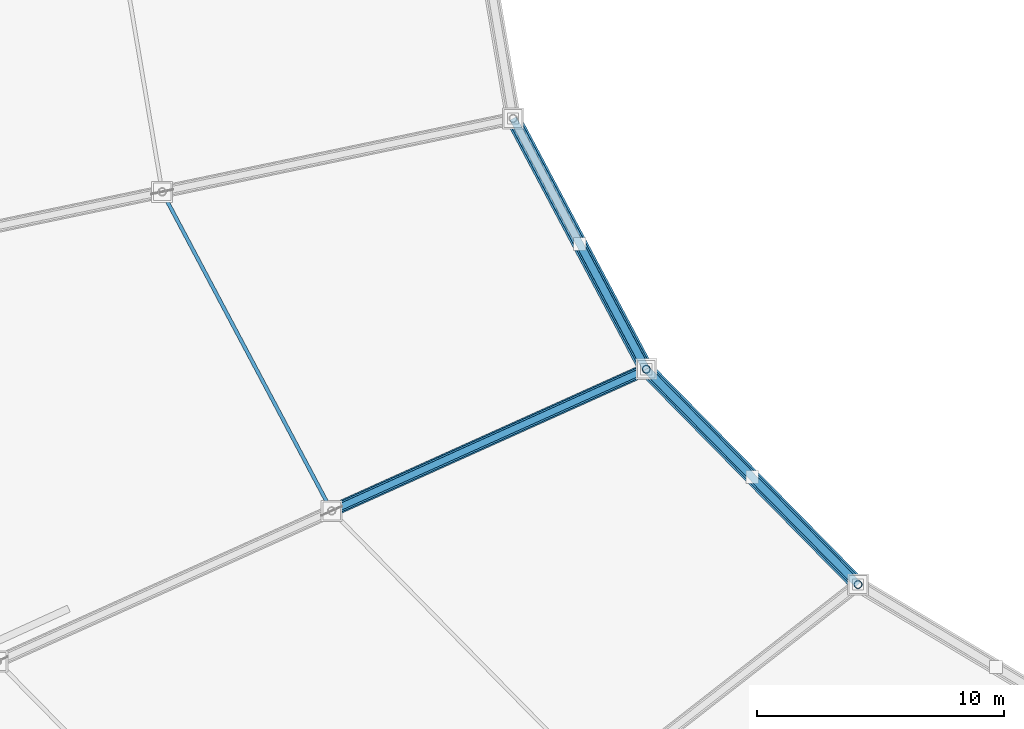
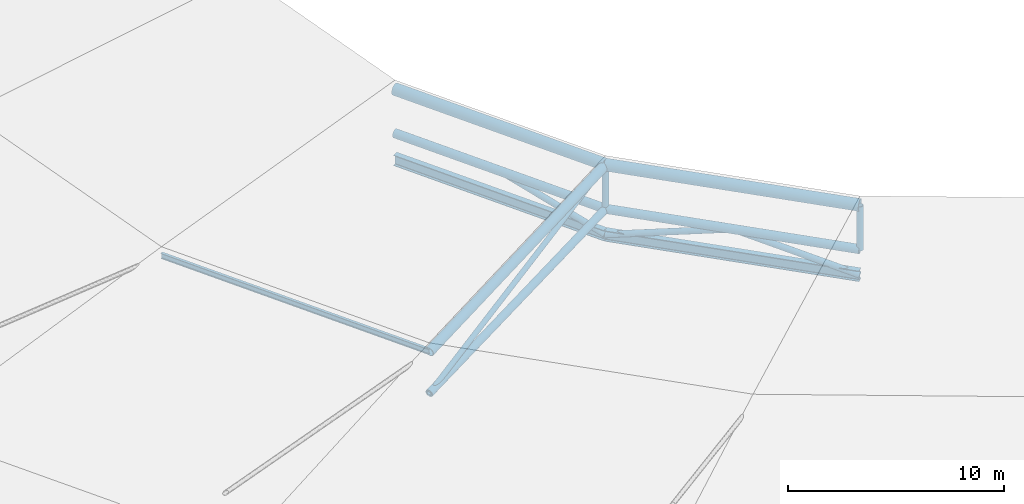
# One storey, part 11 of 115: 13 members, 2 beams.
"""IFC4 building model written with IfcOpenShell, lengths in metres."""

from ifc_helpers import new_model, si_unit, direction, frame, origin, origin_2d, place, context, subcontext, project, spatial, hollow_circle, i_section, extrude, material, material_profile, profile_set, type_object, element, save


model = new_model("IFC4")

# Units and contexts
model_context = context("Model", 3, precision=1e-05, world=origin(), true_north=direction((0.0, 1.0)))
body_context = subcontext(model_context, "Body", "Model", "MODEL_VIEW")
ifc_project = project(units=[si_unit("LENGTHUNIT", "METRE"), si_unit("AREAUNIT", "SQUARE_METRE"), si_unit("VOLUMEUNIT", "CUBIC_METRE"), si_unit("PLANEANGLEUNIT", "RADIAN"), si_unit("MASSUNIT", "GRAM", prefix="KILO")], contexts=[model_context])

# Site, building, storey
site_placement = place(None, origin())
site = spatial("IfcSite", under=ifc_project, at=site_placement, CompositionType="ELEMENT")
building_placement = place(site_placement, origin())
building = spatial("IfcBuilding", under=site, at=building_placement, Name="Zlatoyarsky Gate Stadium", CompositionType="ELEMENT")
storey_placement = place(building_placement, frame((0.0, 0.0, 31.800048828125)))
storey = spatial("IfcBuildingStorey", under=building, at=storey_placement, Name="RF", CompositionType="ELEMENT", Elevation=31.800048828125)

# Members
ifc_material = material(Name="Steel S355", Category="steel")
ifc_material_profile_1 = material_profile(ifc_material, hollow_circle(Radius=0.228515625, WallThickness=0.02490234375, at=origin_2d()), Name="CHS 457X25")
ifc_profile_set_1 = profile_set([ifc_material_profile_1], Name="Steel S355")
member_type_1 = type_object("IfcMemberType", Name="STEEL ARCH BOTTOM CHORD CHS 457X25", PredefinedType="CHORD", material=ifc_profile_set_1)
member_1_placement = place(storey_placement, frame((58.82568359375, 69.0947265625, 6.449951171875), z_axis=(0.468977321353, -0.883210208306, 0.0), x_axis=(0.883210208306, 0.468977321353, 0.0)))
element("IfcMember", 1, at=member_1_placement, inside=storey, type_object=member_type_1, Name="Inner tension ring bottom chord 13", PredefinedType="CHORD", context=body_context, shape_type="SweptSolid", body=[
    extrude(hollow_circle(Radius=0.228515625, WallThickness=0.02490234375, at=origin_2d()), origin(), (0.0, 0.0, 1.0), 11.505859375),
])
member_2_placement = place(storey_placement, frame((64.2216796875, 58.9326171875, 6.449951171875), z_axis=(0.701258917911, -0.712906676957, 0.0), x_axis=(0.712906676957, 0.701258917911, 0.0)))
element("IfcMember", 2, at=member_2_placement, inside=storey, type_object=member_type_1, Name="Inner tension ring bottom chord 14", PredefinedType="CHORD", context=body_context, shape_type="SweptSolid", body=[
    extrude(hollow_circle(Radius=0.228515625, WallThickness=0.02490234375, at=origin_2d()), origin(), (0.0, 0.0, 1.0), 12.24072265625),
])
ifc_material_profile_2 = material_profile(ifc_material, hollow_circle(Radius=0.203125, WallThickness=0.02001953125, at=origin_2d()), Name="CHS 406.4X20")
ifc_profile_set_2 = profile_set([ifc_material_profile_2], Name="Steel S355")
member_type_2 = type_object("IfcMemberType", Name="STEEL ARCH INNER CHORD CHS 406.4X20", PredefinedType="CHORD", material=ifc_profile_set_2)
member_3_placement = place(storey_placement, frame((51.47021484375, 53.189697265625, 3.949951171875), z_axis=(0.897565514488, 0.404239586393, 0.175973020646), x_axis=(-0.410647748687, 0.911794070226, 0.0)))
element("IfcMember", 3, at=member_3_placement, inside=storey, type_object=member_type_2, Name="Radial truss R15 bottom chord 3", PredefinedType="CHORD", context=body_context, shape_type="SweptSolid", body=[
    extrude(hollow_circle(Radius=0.203125, WallThickness=0.02001953125, at=origin_2d()), origin(), (0.0, 0.0, 1.0), 14.206787109375),
])
ifc_material_profile_3 = material_profile(ifc_material, hollow_circle(Radius=0.25390625, WallThickness=0.02490234375, at=origin_2d()), Name="CHS 508X25")
ifc_profile_set_3 = profile_set([ifc_material_profile_3], Name="Steel S355")
member_type_3 = type_object("IfcMemberType", Name="STEEL ARCH TOP CHORD CHS 508X25", PredefinedType="CHORD", material=ifc_profile_set_3)
member_4_placement = place(storey_placement, frame((51.47021484375, 53.189697265625, 6.300048828125), z_axis=(0.895853875894, 0.403468709988, 0.18616882958), x_axis=(-0.410647748687, 0.911794070226, 0.0)))
element("IfcMember", 4, at=member_4_placement, inside=storey, type_object=member_type_3, Name="Radial truss R15 top chord 3", PredefinedType="CHORD", context=body_context, shape_type="SweptSolid", body=[
    extrude(hollow_circle(Radius=0.25390625, WallThickness=0.02490234375, at=origin_2d()), origin(), (0.0, 0.0, 1.0), 14.23388671875),
])
ifc_material_profile_4 = material_profile(ifc_material, i_section(OverallWidth=0.14990234375, OverallDepth=0.300048828125, WebThickness=0.007080078125, FlangeThickness=0.0107421875, FilletRadius=0.014892578125, at=origin_2d()), Name="IPE 300")
ifc_profile_set_4 = profile_set([ifc_material_profile_4], Name="Steel S355")
member_type_4 = type_object("IfcMemberType", Name="STEEL BOWL ROOF PURLIN IPE 300", PredefinedType="PURLIN", material=ifc_profile_set_4)
member_5_placement = place(storey_placement, frame((44.603271484375, 66.1220703125, 6.329833984375), z_axis=(0.468975198418, -0.883211335564, 0.0), x_axis=(0.883211335564, 0.468975198418, 0.0)))
element("IfcMember", 5, at=member_5_placement, inside=storey, type_object=member_type_4, Name="Stadium roof purlin 13.2", PredefinedType="PURLIN", context=body_context, shape_type="SweptSolid", body=[
    extrude(i_section(OverallWidth=0.14990234375, OverallDepth=0.300048828125, WebThickness=0.007080078125, FlangeThickness=0.0107421875, FilletRadius=0.014892578125, at=origin_2d()), origin(), (0.0, 0.0, 1.0), 14.642333984375),
])

# Beams
ifc_material_profile_5 = material_profile(ifc_material, i_section(OverallWidth=0.300048828125, OverallDepth=0.60009765625, WebThickness=0.015380859375, FlangeThickness=0.030029296875, FilletRadius=0.027099609375, at=origin_2d()), Name="HEB 600")
ifc_profile_set_5 = profile_set([ifc_material_profile_5], Name="Steel S355")
beam_type = type_object("IfcBeamType", Name="STEEL INNER CATWALK RING BEAM HEB 600", PredefinedType="USERDEFINED", material=ifc_profile_set_5)
beam_1_placement = place(storey_placement, frame((58.82568359375, 69.0947265625, 5.0), z_axis=(0.468977321353, -0.883210208306, 0.0), x_axis=(0.883210208306, 0.468977321353, 0.0)))
element("IfcBeam", 6, at=beam_1_placement, inside=storey, type_object=beam_type, Name="Inner lighting catwalk ring beam 13", ObjectType="RING BEAM", PredefinedType="USERDEFINED", context=body_context, shape_type="SweptSolid", body=[
    extrude(i_section(OverallWidth=0.300048828125, OverallDepth=0.60009765625, WebThickness=0.015380859375, FlangeThickness=0.030029296875, FilletRadius=0.027099609375, at=origin_2d()), origin(), (0.0, 0.0, 1.0), 11.505859375),
])
beam_2_placement = place(storey_placement, frame((64.2216796875, 58.9326171875, 5.0), z_axis=(0.701258917911, -0.712906676957, 0.0), x_axis=(0.712906676957, 0.701258917911, 0.0)))
element("IfcBeam", 7, at=beam_2_placement, inside=storey, type_object=beam_type, Name="Inner lighting catwalk ring beam 14", ObjectType="RING BEAM", PredefinedType="USERDEFINED", context=body_context, shape_type="SweptSolid", body=[
    extrude(i_section(OverallWidth=0.300048828125, OverallDepth=0.60009765625, WebThickness=0.015380859375, FlangeThickness=0.030029296875, FilletRadius=0.027099609375, at=origin_2d()), origin(), (0.0, 0.0, 1.0), 12.24072265625),
])

# Members
ifc_material_profile_6 = material_profile(ifc_material, hollow_circle(Radius=0.136474609375, WallThickness=0.01611328125, at=origin_2d()), Name="CHS 273X16")
ifc_profile_set_6 = profile_set([ifc_material_profile_6], Name="Steel S355")
member_type_5 = type_object("IfcMemberType", Name="STEEL ROOF TRUSS DIAGONAL CHS 273X16", PredefinedType="BRACE", material=ifc_profile_set_6)
member_6_placement = place(storey_placement, frame((51.47021484375, 53.189697265625, 3.949951171875), z_axis=(0.858570657818, 0.386677342214, 0.336655697341), x_axis=(-0.410647748687, 0.911794070226, 0.0)))
element("IfcMember", 8, at=member_6_placement, inside=storey, type_object=member_type_5, Name="Radial truss R15 web diagonal 3", PredefinedType="BRACE", context=body_context, shape_type="SweptSolid", body=[
    extrude(hollow_circle(Radius=0.136474609375, WallThickness=0.01611328125, at=origin_2d()), origin(), (0.0, 0.0, 1.0), 14.85205078125),
])
ifc_material_profile_7 = material_profile(ifc_material, hollow_circle(Radius=0.304931640625, WallThickness=0.030029296875, at=origin_2d()), Name="CHS 610X30")
ifc_profile_set_7 = profile_set([ifc_material_profile_7], Name="Steel S355")
member_type_6 = type_object("IfcMemberType", Name="STEEL TENSION RING CHORD CHS 610X30", PredefinedType="CHORD", material=ifc_profile_set_7)
member_7_placement = place(storey_placement, frame((58.82568359375, 69.0947265625, 8.949951171875), z_axis=(0.468977321353, -0.883210208306, 0.0), x_axis=(0.883210208306, 0.468977321353, 0.0)))
element("IfcMember", 9, at=member_7_placement, inside=storey, type_object=member_type_6, Name="Inner tension ring top chord 13", PredefinedType="CHORD", context=body_context, shape_type="SweptSolid", body=[
    extrude(hollow_circle(Radius=0.304931640625, WallThickness=0.030029296875, at=origin_2d()), origin(), (0.0, 0.0, 1.0), 11.505859375),
])
member_8_placement = place(storey_placement, frame((64.2216796875, 58.9326171875, 8.949951171875), z_axis=(0.701258917911, -0.712906676957, 0.0), x_axis=(0.712906676957, 0.701258917911, 0.0)))
element("IfcMember", 10, at=member_8_placement, inside=storey, type_object=member_type_6, Name="Inner tension ring top chord 14", PredefinedType="CHORD", context=body_context, shape_type="SweptSolid", body=[
    extrude(hollow_circle(Radius=0.304931640625, WallThickness=0.030029296875, at=origin_2d()), origin(), (0.0, 0.0, 1.0), 12.24072265625),
])
ifc_material_profile_8 = material_profile(ifc_material, hollow_circle(Radius=0.161865234375, WallThickness=0.01611328125, at=origin_2d()), Name="CHS 323.9X16")
ifc_profile_set_8 = profile_set([ifc_material_profile_8], Name="Steel S355")
member_type_7 = type_object("IfcMemberType", Name="STEEL TRUSS WEB STRUT CHS 323.9X16", PredefinedType="STRUT", material=ifc_profile_set_8)
member_9_placement = place(storey_placement, frame((64.2216796875, 58.9326171875, 5.0), z_axis=(-0.454756078435, 0.856427789738, 0.244393842171), x_axis=(-0.883210208306, -0.468977321353, 0.0)))
element("IfcMember", 11, at=member_9_placement, inside=storey, type_object=member_type_7, Name="Catwalk V-hanger strut 13B", PredefinedType="STRUT", context=body_context, shape_type="SweptSolid", body=[
    extrude(hollow_circle(Radius=0.161865234375, WallThickness=0.01611328125, at=origin_2d()), origin(), (0.0, 0.0, 1.0), 5.932861328125),
])
member_10_placement = place(storey_placement, frame((64.2216796875, 58.9326171875, 6.449951171875), z_axis=(0.0, 0.0, 1.0), x_axis=(1.0, 0.0, 0.0)))
element("IfcMember", 12, at=member_10_placement, inside=storey, type_object=member_type_7, Name="Radial truss R15 web strut 3", PredefinedType="STRUT", context=body_context, shape_type="SweptSolid", body=[
    extrude(hollow_circle(Radius=0.161865234375, WallThickness=0.01611328125, at=origin_2d()), origin(), (0.0, 0.0, 1.0), 2.5),
])
for number, where, z_axis, x_axis, name in (
    (13, (64.2216796875, 58.9326171875, 5.0), (0.682371718253, -0.693705764996, 0.230523642475), (0.712906676957, 0.701258917911, 0.0), "Catwalk V-hanger strut 14A"),
    (14, (72.8056640625, 50.2060546875, 5.0), (-0.682371718253, 0.693705764996, 0.230523642475), (-0.712906676957, -0.701258917911, 0.0), "Catwalk V-hanger strut 14B"),
):
    element("IfcMember", number, at=place(storey_placement, frame(where, z_axis=z_axis, x_axis=x_axis)), inside=storey, type_object=member_type_7, Name=name, PredefinedType="STRUT", context=body_context, shape_type="SweptSolid", body=[
        extrude(hollow_circle(Radius=0.161865234375, WallThickness=0.01611328125, at=origin_2d()), origin(), (0.0, 0.0, 1.0), 6.289794921875),
    ])
member_11_placement = place(storey_placement, frame((72.8056640625, 50.2060546875, 6.449951171875), z_axis=(0.0, 0.0, 1.0), x_axis=(1.0, 0.0, 0.0)))
element("IfcMember", 15, at=member_11_placement, inside=storey, type_object=member_type_7, Name="Radial truss R16 web strut 3", PredefinedType="STRUT", context=body_context, shape_type="SweptSolid", body=[
    extrude(hollow_circle(Radius=0.161865234375, WallThickness=0.01611328125, at=origin_2d()), origin(), (0.0, 0.0, 1.0), 2.5),
])

save(model, "model.ifc")
